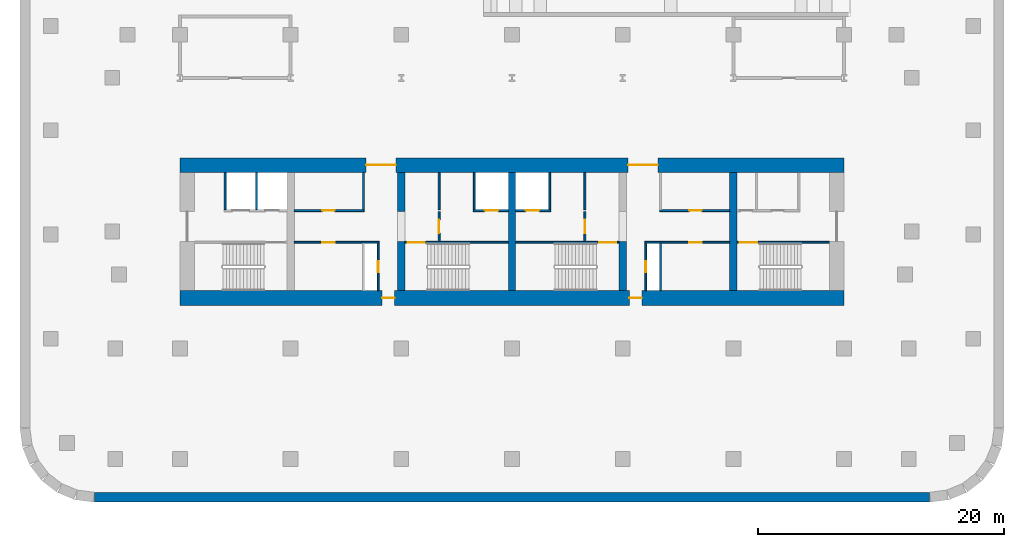
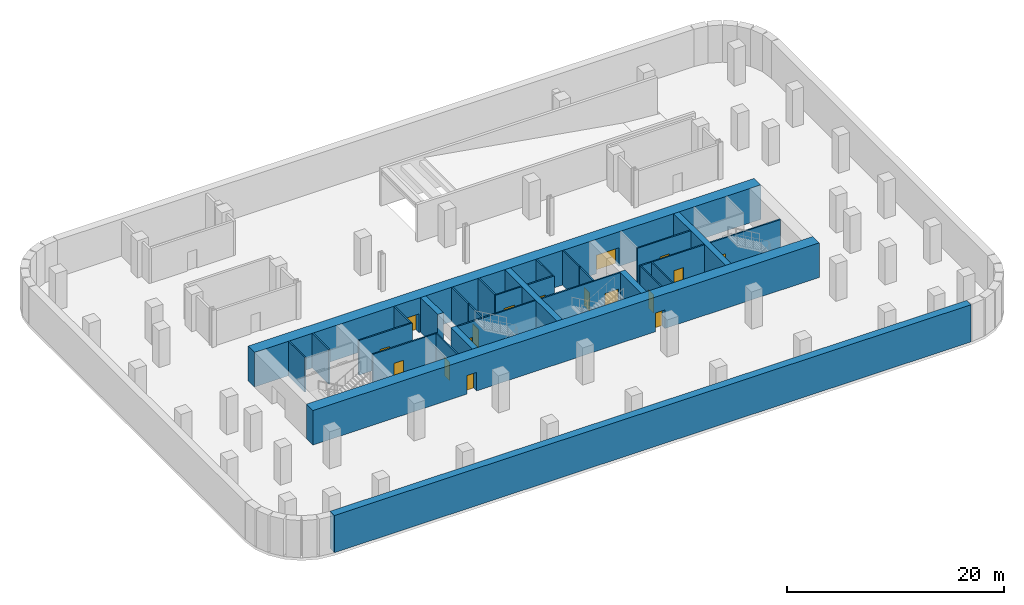
# One storey, part 2 of 5: 29 walls, 17 doors, 17 openings.
"""IFC4 building model written with IfcOpenShell, lengths in metres."""

from ifc_helpers import new_model, si_unit, direction, frame, frame_2d, origin, place, context, subcontext, project, spatial, rectangle, extrude, material, layer, layer_set, type_object, element, fill, save


model = new_model("IFC4")

# Units and contexts
model_context = context("Model", 3, precision=1e-05, world=origin(), true_north=direction((0.0, 1.0)))
body_context = subcontext(model_context, "Body", "Model", "MODEL_VIEW")
ifc_project = project(units=[si_unit("LENGTHUNIT", "METRE"), si_unit("AREAUNIT", "SQUARE_METRE"), si_unit("VOLUMEUNIT", "CUBIC_METRE"), si_unit("PLANEANGLEUNIT", "RADIAN"), si_unit("MASSUNIT", "GRAM", prefix="KILO")], contexts=[model_context])

# Site, building, storey
site_placement = place(None, origin())
site = spatial("IfcSite", under=ifc_project, at=site_placement, CompositionType="ELEMENT")
building_placement = place(site_placement, origin())
building = spatial("IfcBuilding", under=site, at=building_placement, Name="Zellij Exchange Tower", CompositionType="ELEMENT")
storey_placement = place(building_placement, frame((0.0, 0.0, -8.39990234375)))
storey = spatial("IfcBuildingStorey", under=building, at=storey_placement, Name="B2", CompositionType="ELEMENT", Elevation=-8.39990234375)

# Walls
ifc_material_1 = material(Name="Concrete C70/85", Category="concrete")
ifc_layer_1 = layer(ifc_material_1, 0.60009765625)
ifc_layer_set_1 = layer_set([ifc_layer_1], Name="Concrete C70/85")
wall_type_1 = type_object("IfcWallType", Name="CORE-CW 600 C70/85", PredefinedType="SHEAR", material=ifc_layer_set_1)
wall_1_placement = place(storey_placement, frame((-9.0, -12.800048828125, 0.0), z_axis=(0.0, 0.0, 1.0), x_axis=(0.0, 1.0, 0.0)))
element("IfcWall", 1, at=wall_1_placement, inside=storey, type_object=wall_type_1, Name="Core cross wall pier x -9 a B2", PredefinedType="SHEAR", context=body_context, shape_type="SweptSolid", body=[
    extrude(rectangle(XDim=4.0, YDim=0.60009765625, at=frame_2d((2.0, 0.0))), origin(), (0.0, 0.0, 1.0), 3.89990234375),
])
wall_2_placement = place(storey_placement, frame((-9.0, -6.375, 0.0), z_axis=(0.0, 0.0, 1.0), x_axis=(0.0, 1.0, 0.0)))
element("IfcWall", 2, at=wall_2_placement, inside=storey, type_object=wall_type_1, Name="Core cross wall pier x -9 b B2", PredefinedType="SHEAR", context=body_context, shape_type="SweptSolid", body=[
    extrude(rectangle(XDim=3.175048828125, YDim=0.60009765625, at=frame_2d((1.58740234375, 0.0))), origin(), (0.0, 0.0, 1.0), 3.89990234375),
])
wall_3_placement = place(storey_placement, frame((0.0, -12.800048828125, 0.0), z_axis=(0.0, 0.0, 1.0), x_axis=(0.0, 1.0, 0.0)))
element("IfcWall", 3, at=wall_3_placement, inside=storey, type_object=wall_type_1, Name="Core cross wall x 0 B2", PredefinedType="SHEAR", context=body_context, shape_type="SweptSolid", body=[
    extrude(rectangle(XDim=9.60009765625, YDim=0.60009765625, at=frame_2d((4.800048828125, 0.0))), origin(), (0.0, 0.0, 1.0), 3.89990234375),
])
wall_4_placement = place(storey_placement, frame((9.0, -12.800048828125, 0.0), z_axis=(0.0, 0.0, 1.0), x_axis=(0.0, 1.0, 0.0)))
element("IfcWall", 4, at=wall_4_placement, inside=storey, type_object=wall_type_1, Name="Core cross wall pier x 9 a B2", PredefinedType="SHEAR", context=body_context, shape_type="SweptSolid", body=[
    extrude(rectangle(XDim=4.0, YDim=0.60009765625, at=frame_2d((2.0, 0.0))), origin(), (0.0, 0.0, 1.0), 3.89990234375),
])
wall_5_placement = place(storey_placement, frame((18.0, -12.800048828125, 0.0), z_axis=(0.0, 0.0, 1.0), x_axis=(0.0, 1.0, 0.0)))
element("IfcWall", 5, at=wall_5_placement, inside=storey, type_object=wall_type_1, Name="Core cross wall x 18 B2", PredefinedType="SHEAR", context=body_context, shape_type="SweptSolid", body=[
    extrude(rectangle(XDim=9.60009765625, YDim=0.60009765625, at=frame_2d((4.800048828125, 0.0))), origin(), (0.0, 0.0, 1.0), 3.89990234375),
])

# Wall, opening, door
ifc_material_2 = material(Name="Gypsum shaft wall system")
ifc_layer_2 = layer(ifc_material_2, 0.14990234375)
ifc_layer_set_2 = layer_set([ifc_layer_2], Name="Gypsum shaft wall system")
wall_type_2 = type_object("IfcWallType", Name="CORE-PW 150 Firefighting lobby wall", PredefinedType="PARTITIONING", material=ifc_layer_set_2)
wall_6_placement = place(storey_placement, frame((-5.925048828125, -8.800048828125, 0.0), z_axis=(0.0, 0.0, 1.0), x_axis=(0.0, 1.0, 0.0)))
wall_6 = element("IfcWall", 6, at=wall_6_placement, inside=storey, type_object=wall_type_2, Name="Firefighting lobby wall B2", PredefinedType="PARTITIONING", context=body_context, shape_type="SweptSolid", body=[
    extrude(rectangle(XDim=2.425048828125, YDim=0.14990234375, at=frame_2d((1.21240234375, 0.0))), origin(), (0.0, 0.0, 1.0), 3.89990234375),
])
opening_1_placement = place(wall_6_placement, frame((0.662109375, 0.0, 0.0)))
opening_1 = element("IfcOpeningElement", 7, at=opening_1_placement, cuts=wall_6, Name="Opening CA-01.11", PredefinedType="OPENING", context=body_context, shape_type="SweptSolid", body=[
    extrude(rectangle(XDim=1.10009765625, YDim=2.10009765625, at=frame_2d((0.550048828125, 1.050048828125))), frame((0.0, 0.0869140625, 0.0), z_axis=(0.0, -1.0, 0.0), x_axis=(1.0, 0.0, 0.0)), (0.0, 0.0, 1.0), 0.173828125),
])
ifc_material_3 = material(Name="Hollow metal fire door")
door_type_1 = type_object("IfcDoorType", Name="CORE-D F Firefighting lobby door 1100x2100 1 HR", OperationType="NOTDEFINED", PredefinedType="DOOR", material=ifc_material_3)
door_1_placement = place(opening_1_placement, origin())
door_1 = element("IfcDoor", 8, at=door_1_placement, inside=storey, type_object=door_type_1, Name="Firefighting lobby door CA-01.11", OperationType="SINGLE_SWING_LEFT", OverallHeight=2.10009765625, OverallWidth=1.10009765625, PredefinedType="DOOR", context=body_context, shape_type="SweptSolid", body=[
    extrude(rectangle(XDim=1.10009765625, YDim=2.10009765625, at=frame_2d((0.550048828125, 1.050048828125))), frame((0.0, 0.02490234375, 0.0), z_axis=(0.0, -1.0, 0.0), x_axis=(1.0, 0.0, 0.0)), (0.0, 0.0, 1.0), 0.050048828125),
])
fill(opening_1, door_1)

wall_7_placement = place(storey_placement, frame((5.925048828125, -8.800048828125, 0.0), z_axis=(0.0, 0.0, 1.0), x_axis=(0.0, 1.0, 0.0)))
wall_7 = element("IfcWall", 9, at=wall_7_placement, inside=storey, type_object=wall_type_2, Name="Firefighting lobby wall B2", PredefinedType="PARTITIONING", context=body_context, shape_type="SweptSolid", body=[
    extrude(rectangle(XDim=2.425048828125, YDim=0.14990234375, at=frame_2d((1.21240234375, 0.0))), origin(), (0.0, 0.0, 1.0), 3.89990234375),
])
opening_2_placement = place(wall_7_placement, frame((0.662109375, 0.0, 0.0)))
opening_2 = element("IfcOpeningElement", 10, at=opening_2_placement, cuts=wall_7, Name="Opening CA-01.14", PredefinedType="OPENING", context=body_context, shape_type="SweptSolid", body=[
    extrude(rectangle(XDim=1.10009765625, YDim=2.10009765625, at=frame_2d((0.550048828125, 1.050048828125))), frame((0.0, 0.0869140625, 0.0), z_axis=(0.0, -1.0, 0.0), x_axis=(1.0, 0.0, 0.0)), (0.0, 0.0, 1.0), 0.173828125),
])
door_2_placement = place(opening_2_placement, origin())
door_2 = element("IfcDoor", 11, at=door_2_placement, inside=storey, type_object=door_type_1, Name="Firefighting lobby door CA-01.14", OperationType="SINGLE_SWING_RIGHT", OverallHeight=2.10009765625, OverallWidth=1.10009765625, PredefinedType="DOOR", context=body_context, shape_type="SweptSolid", body=[
    extrude(rectangle(XDim=1.10009765625, YDim=2.10009765625, at=frame_2d((0.550048828125, 1.050048828125))), frame((0.0, 0.02490234375, 0.0), z_axis=(0.0, -1.0, 0.0), x_axis=(1.0, 0.0, 0.0)), (0.0, 0.0, 1.0), 0.050048828125),
])
fill(opening_2, door_2)

# Walls
ifc_layer_3 = layer(ifc_material_2, 0.14990234375)
ifc_layer_set_3 = layer_set([ifc_layer_3], Name="Gypsum shaft wall system")
wall_type_3 = type_object("IfcWallType", Name="CORE-PW 150 Lift shaft wall", PredefinedType="PARTITIONING", material=ifc_layer_set_3)
for number, where, z_axis, x_axis, name in (
    (12, (-20.77490234375, -6.22509765625, 0.0), (0.0, 0.0, 1.0), (0.0, 1.0, 0.0), "Lift shaft wall B2"),
    (13, (-23.324951171875, -6.22509765625, 0.0), (0.0, 0.0, 1.0), (0.0, 1.0, 0.0), "Lift shaft wall B2"),
    (14, (-3.074951171875, -6.22509765625, 0.0), (0.0, 0.0, 1.0), (0.0, 1.0, 0.0), "Lift shaft wall B2"),
    (15, (3.074951171875, -6.22509765625, 0.0), (0.0, 0.0, 1.0), (0.0, 1.0, 0.0), "Lift shaft wall B2"),
):
    element("IfcWall", number, at=place(storey_placement, frame(where, z_axis=z_axis, x_axis=x_axis)), inside=storey, type_object=wall_type_3, Name=name, PredefinedType="PARTITIONING", context=body_context, shape_type="SweptSolid", body=[
        extrude(rectangle(XDim=3.025146484375, YDim=0.14990234375, at=frame_2d((1.5126953125, 0.0))), origin(), (0.0, 0.0, 1.0), 3.89990234375),
    ])

# Wall, opening, door
wall_8_placement = place(storey_placement, frame((-3.14990234375, -6.300048828125, 0.0), z_axis=(0.0, 0.0, 1.0), x_axis=(1.0, 0.0, 0.0)))
wall_8 = element("IfcWall", 16, at=wall_8_placement, inside=storey, type_object=wall_type_3, Name="Lift shaft wall B2", PredefinedType="PARTITIONING", context=body_context, shape_type="SweptSolid", body=[
    extrude(rectangle(XDim=2.849853515625, YDim=0.14990234375, at=frame_2d((1.4248046875, 0.0))), origin(), (0.0, 0.0, 1.0), 3.89990234375),
])
opening_3_placement = place(wall_8_placement, frame((0.949951171875, 0.0, 0.0)))
opening_3 = element("IfcOpeningElement", 17, at=opening_3_placement, cuts=wall_8, Name="Opening CA-01.12", PredefinedType="OPENING", context=body_context, shape_type="SweptSolid", body=[
    extrude(rectangle(XDim=1.10009765625, YDim=2.10009765625, at=frame_2d((0.550048828125, 1.050048828125))), frame((0.0, 0.0869140625, 0.0), z_axis=(0.0, -1.0, 0.0), x_axis=(1.0, 0.0, 0.0)), (0.0, 0.0, 1.0), 0.173828125),
])
door_type_2 = type_object("IfcDoorType", Name="CORE-D LD Lift landing door 1100x2100 1.5 HR", OperationType="NOTDEFINED", PredefinedType="DOOR", material=ifc_material_3)
door_3_placement = place(opening_3_placement, origin())
door_3 = element("IfcDoor", 18, at=door_3_placement, inside=storey, type_object=door_type_2, Name="Lift landing door CA-01.12", OperationType="SLIDING_TO_RIGHT", OverallHeight=2.10009765625, OverallWidth=1.10009765625, PredefinedType="DOOR", context=body_context, shape_type="SweptSolid", body=[
    extrude(rectangle(XDim=1.10009765625, YDim=2.10009765625, at=frame_2d((0.550048828125, 1.050048828125))), frame((0.0, 0.02490234375, 0.0), z_axis=(0.0, -1.0, 0.0), x_axis=(1.0, 0.0, 0.0)), (0.0, 0.0, 1.0), 0.050048828125),
])
fill(opening_3, door_3)

wall_9_placement = place(storey_placement, frame((0.300048828125, -6.300048828125, 0.0), z_axis=(0.0, 0.0, 1.0), x_axis=(1.0, 0.0, 0.0)))
wall_9 = element("IfcWall", 19, at=wall_9_placement, inside=storey, type_object=wall_type_3, Name="Lift shaft wall B2", PredefinedType="PARTITIONING", context=body_context, shape_type="SweptSolid", body=[
    extrude(rectangle(XDim=2.849853515625, YDim=0.14990234375, at=frame_2d((1.4248046875, 0.0))), origin(), (0.0, 0.0, 1.0), 3.89990234375),
])
opening_4_placement = place(wall_9_placement, frame((0.800048828125, 0.0, 0.0)))
opening_4 = element("IfcOpeningElement", 20, at=opening_4_placement, cuts=wall_9, Name="Opening CA-01.13", PredefinedType="OPENING", context=body_context, shape_type="SweptSolid", body=[
    extrude(rectangle(XDim=1.10009765625, YDim=2.10009765625, at=frame_2d((0.550048828125, 1.050048828125))), frame((0.0, 0.0869140625, 0.0), z_axis=(0.0, -1.0, 0.0), x_axis=(1.0, 0.0, 0.0)), (0.0, 0.0, 1.0), 0.173828125),
])
door_4_placement = place(opening_4_placement, origin())
door_4 = element("IfcDoor", 21, at=door_4_placement, inside=storey, type_object=door_type_2, Name="Lift landing door CA-01.13", OperationType="SLIDING_TO_LEFT", OverallHeight=2.10009765625, OverallWidth=1.10009765625, PredefinedType="DOOR", context=body_context, shape_type="SweptSolid", body=[
    extrude(rectangle(XDim=1.10009765625, YDim=2.10009765625, at=frame_2d((0.550048828125, 1.050048828125))), frame((0.0, 0.02490234375, 0.0), z_axis=(0.0, -1.0, 0.0), x_axis=(1.0, 0.0, 0.0)), (0.0, 0.0, 1.0), 0.050048828125),
])
fill(opening_4, door_4)

# Walls
ifc_layer_4 = layer(ifc_material_2, 0.14990234375)
ifc_layer_set_4 = layer_set([ifc_layer_4], Name="Gypsum shaft wall system")
wall_type_4 = type_object("IfcWallType", Name="CORE-PW 150 Plant room wall", PredefinedType="PARTITIONING", material=ifc_layer_set_4)
for number, where, z_axis, x_axis, name in (
    (22, (-12.074951171875, -6.22509765625, 0.0), (0.0, 0.0, 1.0), (0.0, 1.0, 0.0), "Plant room wall B2"),
    (23, (-5.925048828125, -6.22509765625, 0.0), (0.0, 0.0, 1.0), (0.0, 1.0, 0.0), "Plant room wall B2"),
    (24, (5.925048828125, -6.22509765625, 0.0), (0.0, 0.0, 1.0), (0.0, 1.0, 0.0), "Plant room wall B2"),
):
    element("IfcWall", number, at=place(storey_placement, frame(where, z_axis=z_axis, x_axis=x_axis)), inside=storey, type_object=wall_type_4, Name=name, PredefinedType="PARTITIONING", context=body_context, shape_type="SweptSolid", body=[
        extrude(rectangle(XDim=3.025146484375, YDim=0.14990234375, at=frame_2d((1.5126953125, 0.0))), origin(), (0.0, 0.0, 1.0), 3.89990234375),
    ])

# Wall, opening, door
wall_10_placement = place(storey_placement, frame((-10.875, -12.800048828125, 0.0), z_axis=(0.0, 0.0, 1.0), x_axis=(0.0, 1.0, 0.0)))
wall_10 = element("IfcWall", 25, at=wall_10_placement, inside=storey, type_object=wall_type_4, Name="Plant room wall B2", PredefinedType="PARTITIONING", context=body_context, shape_type="SweptSolid", body=[
    extrude(rectangle(XDim=3.85009765625, YDim=0.14990234375, at=frame_2d((1.925048828125, 0.0))), origin(), (0.0, 0.0, 1.0), 3.89990234375),
])
opening_5_placement = place(wall_10_placement, frame((1.47509765625, 0.0, 0.0)))
opening_5 = element("IfcOpeningElement", 26, at=opening_5_placement, cuts=wall_10, Name="Opening CA-01.07", PredefinedType="OPENING", context=body_context, shape_type="SweptSolid", body=[
    extrude(rectangle(XDim=0.89990234375, YDim=2.10009765625, at=frame_2d((0.449951171875, 1.050048828125))), frame((0.0, 0.0869140625, 0.0), z_axis=(0.0, -1.0, 0.0), x_axis=(1.0, 0.0, 0.0)), (0.0, 0.0, 1.0), 0.173828125),
])
door_type_3 = type_object("IfcDoorType", Name="CORE-D RD Riser door 900x2100 1.5 HR", OperationType="NOTDEFINED", PredefinedType="DOOR", material=ifc_material_3)
door_5_placement = place(opening_5_placement, origin())
door_5 = element("IfcDoor", 27, at=door_5_placement, inside=storey, type_object=door_type_3, Name="Riser door CA-01.07", OperationType="SINGLE_SWING_RIGHT", OverallHeight=2.10009765625, OverallWidth=0.89990234375, PredefinedType="DOOR", context=body_context, shape_type="SweptSolid", body=[
    extrude(rectangle(XDim=0.89990234375, YDim=2.10009765625, at=frame_2d((0.449951171875, 1.050048828125))), frame((0.0, 0.02490234375, 0.0), z_axis=(0.0, -1.0, 0.0), x_axis=(1.0, 0.0, 0.0)), (0.0, 0.0, 1.0), 0.050048828125),
])
fill(opening_5, door_5)

wall_11_placement = place(storey_placement, frame((10.875, -12.800048828125, 0.0), z_axis=(0.0, 0.0, 1.0), x_axis=(0.0, 1.0, 0.0)))
wall_11 = element("IfcWall", 28, at=wall_11_placement, inside=storey, type_object=wall_type_4, Name="Plant room wall B2", PredefinedType="PARTITIONING", context=body_context, shape_type="SweptSolid", body=[
    extrude(rectangle(XDim=3.85009765625, YDim=0.14990234375, at=frame_2d((1.925048828125, 0.0))), origin(), (0.0, 0.0, 1.0), 3.89990234375),
])
opening_6_placement = place(wall_11_placement, frame((1.47509765625, 0.0, 0.0)))
opening_6 = element("IfcOpeningElement", 29, at=opening_6_placement, cuts=wall_11, Name="Opening CA-01.18", PredefinedType="OPENING", context=body_context, shape_type="SweptSolid", body=[
    extrude(rectangle(XDim=0.89990234375, YDim=2.10009765625, at=frame_2d((0.449951171875, 1.050048828125))), frame((0.0, 0.0869140625, 0.0), z_axis=(0.0, -1.0, 0.0), x_axis=(1.0, 0.0, 0.0)), (0.0, 0.0, 1.0), 0.173828125),
])
door_6_placement = place(opening_6_placement, origin())
door_6 = element("IfcDoor", 30, at=door_6_placement, inside=storey, type_object=door_type_3, Name="Riser door CA-01.18", OperationType="SINGLE_SWING_LEFT", OverallHeight=2.10009765625, OverallWidth=0.89990234375, PredefinedType="DOOR", context=body_context, shape_type="SweptSolid", body=[
    extrude(rectangle(XDim=0.89990234375, YDim=2.10009765625, at=frame_2d((0.449951171875, 1.050048828125))), frame((0.0, 0.02490234375, 0.0), z_axis=(0.0, -1.0, 0.0), x_axis=(1.0, 0.0, 0.0)), (0.0, 0.0, 1.0), 0.050048828125),
])
fill(opening_6, door_6)

# Wall
wall_12_placement = place(storey_placement, frame((12.074951171875, -12.800048828125, 0.0), z_axis=(0.0, 0.0, 1.0), x_axis=(0.0, 1.0, 0.0)))
element("IfcWall", 31, at=wall_12_placement, inside=storey, type_object=wall_type_4, Name="Plant room wall B2", PredefinedType="PARTITIONING", context=body_context, shape_type="SweptSolid", body=[
    extrude(rectangle(XDim=3.85009765625, YDim=0.14990234375, at=frame_2d((1.925048828125, 0.0))), origin(), (0.0, 0.0, 1.0), 3.89990234375),
])

# Wall, opening, door
wall_13_placement = place(storey_placement, frame((-17.699951171875, -6.300048828125, 0.0), z_axis=(0.0, 0.0, 1.0), x_axis=(1.0, 0.0, 0.0)))
wall_13 = element("IfcWall", 32, at=wall_13_placement, inside=storey, type_object=wall_type_4, Name="Plant room wall B2", PredefinedType="PARTITIONING", context=body_context, shape_type="SweptSolid", body=[
    extrude(rectangle(XDim=5.699951171875, YDim=0.14990234375, at=frame_2d((2.85009765625, 0.0))), origin(), (0.0, 0.0, 1.0), 3.89990234375),
])
opening_7_placement = place(wall_13_placement, frame((2.27490234375, 0.0, 0.0)))
opening_7 = element("IfcOpeningElement", 33, at=opening_7_placement, cuts=wall_13, Name="Opening CA-01.06", PredefinedType="OPENING", context=body_context, shape_type="SweptSolid", body=[
    extrude(rectangle(XDim=1.0, YDim=2.10009765625, at=frame_2d((0.5, 1.050048828125))), frame((0.0, 0.0869140625, 0.0), z_axis=(0.0, -1.0, 0.0), x_axis=(1.0, 0.0, 0.0)), (0.0, 0.0, 1.0), 0.173828125),
])
door_type_4 = type_object("IfcDoorType", Name="CORE-D CDA Core room door 1000x2100 1.5 HR", OperationType="NOTDEFINED", PredefinedType="DOOR", material=ifc_material_3)
door_7_placement = place(opening_7_placement, origin())
door_7 = element("IfcDoor", 34, at=door_7_placement, inside=storey, type_object=door_type_4, Name="Core room door CA-01.06", OperationType="SINGLE_SWING_LEFT", OverallHeight=2.10009765625, OverallWidth=1.0, PredefinedType="DOOR", context=body_context, shape_type="SweptSolid", body=[
    extrude(rectangle(XDim=1.0, YDim=2.10009765625, at=frame_2d((0.5, 1.050048828125))), frame((0.0, 0.02490234375, 0.0), z_axis=(0.0, -1.0, 0.0), x_axis=(1.0, 0.0, 0.0)), (0.0, 0.0, 1.0), 0.050048828125),
])
fill(opening_7, door_7)

wall_14_placement = place(storey_placement, frame((12.0, -6.300048828125, 0.0), z_axis=(0.0, 0.0, 1.0), x_axis=(1.0, 0.0, 0.0)))
wall_14 = element("IfcWall", 35, at=wall_14_placement, inside=storey, type_object=wall_type_4, Name="Plant room wall B2", PredefinedType="PARTITIONING", context=body_context, shape_type="SweptSolid", body=[
    extrude(rectangle(XDim=5.699951171875, YDim=0.14990234375, at=frame_2d((2.85009765625, 0.0))), origin(), (0.0, 0.0, 1.0), 3.89990234375),
])
opening_8_placement = place(wall_14_placement, frame((2.425048828125, 0.0, 0.0)))
opening_8 = element("IfcOpeningElement", 36, at=opening_8_placement, cuts=wall_14, Name="Opening CA-01.20", PredefinedType="OPENING", context=body_context, shape_type="SweptSolid", body=[
    extrude(rectangle(XDim=1.0, YDim=2.10009765625, at=frame_2d((0.5, 1.050048828125))), frame((0.0, 0.0869140625, 0.0), z_axis=(0.0, -1.0, 0.0), x_axis=(1.0, 0.0, 0.0)), (0.0, 0.0, 1.0), 0.173828125),
])
door_8_placement = place(opening_8_placement, origin())
door_8 = element("IfcDoor", 37, at=door_8_placement, inside=storey, type_object=door_type_4, Name="Core room door CA-01.20", OperationType="SINGLE_SWING_RIGHT", OverallHeight=2.10009765625, OverallWidth=1.0, PredefinedType="DOOR", context=body_context, shape_type="SweptSolid", body=[
    extrude(rectangle(XDim=1.0, YDim=2.10009765625, at=frame_2d((0.5, 1.050048828125))), frame((0.0, 0.02490234375, 0.0), z_axis=(0.0, -1.0, 0.0), x_axis=(1.0, 0.0, 0.0)), (0.0, 0.0, 1.0), 0.050048828125),
])
fill(opening_8, door_8)

wall_15_placement = place(storey_placement, frame((-17.699951171875, -8.875, 0.0), z_axis=(0.0, 0.0, 1.0), x_axis=(1.0, 0.0, 0.0)))
wall_15 = element("IfcWall", 38, at=wall_15_placement, inside=storey, type_object=wall_type_4, Name="Plant room wall B2", PredefinedType="PARTITIONING", context=body_context, shape_type="SweptSolid", body=[
    extrude(rectangle(XDim=6.89990234375, YDim=0.14990234375, at=frame_2d((3.449951171875, 0.0))), origin(), (0.0, 0.0, 1.0), 3.89990234375),
])
opening_9_placement = place(wall_15_placement, frame((2.27490234375, 0.0, 0.0)))
opening_9 = element("IfcOpeningElement", 39, at=opening_9_placement, cuts=wall_15, Name="Opening CA-01.05", PredefinedType="OPENING", context=body_context, shape_type="SweptSolid", body=[
    extrude(rectangle(XDim=1.0, YDim=2.10009765625, at=frame_2d((0.5, 1.050048828125))), frame((0.0, 0.0869140625, 0.0), z_axis=(0.0, -1.0, 0.0), x_axis=(1.0, 0.0, 0.0)), (0.0, 0.0, 1.0), 0.173828125),
])
door_9_placement = place(opening_9_placement, origin())
door_9 = element("IfcDoor", 40, at=door_9_placement, inside=storey, type_object=door_type_4, Name="Core room door CA-01.05", OperationType="SINGLE_SWING_RIGHT", OverallHeight=2.10009765625, OverallWidth=1.0, PredefinedType="DOOR", context=body_context, shape_type="SweptSolid", body=[
    extrude(rectangle(XDim=1.0, YDim=2.10009765625, at=frame_2d((0.5, 1.050048828125))), frame((0.0, 0.02490234375, 0.0), z_axis=(0.0, -1.0, 0.0), x_axis=(1.0, 0.0, 0.0)), (0.0, 0.0, 1.0), 0.050048828125),
])
fill(opening_9, door_9)

wall_16_placement = place(storey_placement, frame((10.800048828125, -8.875, 0.0), z_axis=(0.0, 0.0, 1.0), x_axis=(1.0, 0.0, 0.0)))
wall_16 = element("IfcWall", 41, at=wall_16_placement, inside=storey, type_object=wall_type_4, Name="Plant room wall B2", PredefinedType="PARTITIONING", context=body_context, shape_type="SweptSolid", body=[
    extrude(rectangle(XDim=6.89990234375, YDim=0.14990234375, at=frame_2d((3.449951171875, 0.0))), origin(), (0.0, 0.0, 1.0), 3.89990234375),
])
opening_10_placement = place(wall_16_placement, frame((3.625, 0.0, 0.0)))
opening_10 = element("IfcOpeningElement", 42, at=opening_10_placement, cuts=wall_16, Name="Opening CA-01.19", PredefinedType="OPENING", context=body_context, shape_type="SweptSolid", body=[
    extrude(rectangle(XDim=1.0, YDim=2.10009765625, at=frame_2d((0.5, 1.050048828125))), frame((0.0, 0.0869140625, 0.0), z_axis=(0.0, -1.0, 0.0), x_axis=(1.0, 0.0, 0.0)), (0.0, 0.0, 1.0), 0.173828125),
])
door_10_placement = place(opening_10_placement, origin())
door_10 = element("IfcDoor", 43, at=door_10_placement, inside=storey, type_object=door_type_4, Name="Core room door CA-01.19", OperationType="SINGLE_SWING_LEFT", OverallHeight=2.10009765625, OverallWidth=1.0, PredefinedType="DOOR", context=body_context, shape_type="SweptSolid", body=[
    extrude(rectangle(XDim=1.0, YDim=2.10009765625, at=frame_2d((0.5, 1.050048828125))), frame((0.0, 0.02490234375, 0.0), z_axis=(0.0, -1.0, 0.0), x_axis=(1.0, 0.0, 0.0)), (0.0, 0.0, 1.0), 0.050048828125),
])
fill(opening_10, door_10)

# Wall, openings, doors
ifc_layer_5 = layer(ifc_material_1, 1.199951171875)
ifc_layer_set_5 = layer_set([ifc_layer_5], Name="Concrete C70/85")
wall_type_5 = type_object("IfcWallType", Name="CORE-SW 1200 C70/85", PredefinedType="SHEAR", material=ifc_layer_set_5)
wall_17_placement = place(storey_placement, frame((-27.0, -2.60009765625, 0.0), z_axis=(0.0, 0.0, 1.0), x_axis=(1.0, 0.0, 0.0)))
wall_17 = element("IfcWall", 44, at=wall_17_placement, inside=storey, type_object=wall_type_5, Name="Core shear wall front B2", PredefinedType="SHEAR", context=body_context, shape_type="SweptSolid", body=[
    extrude(rectangle(XDim=54.0, YDim=1.199951171875, at=frame_2d((27.0, 0.0))), origin(), (0.0, 0.0, 1.0), 3.89990234375),
])
opening_11_placement = place(wall_17_placement, frame((15.14990234375, 0.0, 0.0)))
opening_11 = element("IfcOpeningElement", 45, at=opening_11_placement, cuts=wall_17, Name="Opening CA-01.08", PredefinedType="OPENING", context=body_context, shape_type="SweptSolid", body=[
    extrude(rectangle(XDim=2.39990234375, YDim=2.10009765625, at=frame_2d((1.199951171875, 1.050048828125))), frame((0.0, 0.61181640625, 0.0), z_axis=(0.0, -1.0, 0.0), x_axis=(1.0, 0.0, 0.0)), (0.0, 0.0, 1.0), 1.223876953125),
])
opening_12_placement = place(wall_17_placement, frame((36.449951171875, 0.0, 0.0)))
opening_12 = element("IfcOpeningElement", 46, at=opening_12_placement, cuts=wall_17, Name="Opening CA-01.17", PredefinedType="OPENING", context=body_context, shape_type="SweptSolid", body=[
    extrude(rectangle(XDim=2.39990234375, YDim=2.10009765625, at=frame_2d((1.199951171875, 1.050048828125))), frame((0.0, 0.61181640625, 0.0), z_axis=(0.0, -1.0, 0.0), x_axis=(1.0, 0.0, 0.0)), (0.0, 0.0, 1.0), 1.223876953125),
])
door_type_5 = type_object("IfcDoorType", Name="CORE-D CE Core entrance door 2400x2100 20 MIN", OperationType="NOTDEFINED", PredefinedType="DOOR", material=ifc_material_3)
door_11_placement = place(opening_11_placement, origin())
door_11 = element("IfcDoor", 47, at=door_11_placement, inside=storey, type_object=door_type_5, Name="Core entrance door CA-01.08", OperationType="DOUBLE_DOOR_SINGLE_SWING", OverallHeight=2.10009765625, OverallWidth=2.39990234375, PredefinedType="DOOR", context=body_context, shape_type="SweptSolid", body=[
    extrude(rectangle(XDim=2.39990234375, YDim=2.10009765625, at=frame_2d((1.199951171875, 1.050048828125))), frame((0.0, 0.02490234375, 0.0), z_axis=(0.0, -1.0, 0.0), x_axis=(1.0, 0.0, 0.0)), (0.0, 0.0, 1.0), 0.050048828125),
])
fill(opening_11, door_11)
door_12_placement = place(opening_12_placement, origin())
door_12 = element("IfcDoor", 48, at=door_12_placement, inside=storey, type_object=door_type_5, Name="Core entrance door CA-01.17", OperationType="DOUBLE_DOOR_SINGLE_SWING", OverallHeight=2.10009765625, OverallWidth=2.39990234375, PredefinedType="DOOR", context=body_context, shape_type="SweptSolid", body=[
    extrude(rectangle(XDim=2.39990234375, YDim=2.10009765625, at=frame_2d((1.199951171875, 1.050048828125))), frame((0.0, 0.02490234375, 0.0), z_axis=(0.0, -1.0, 0.0), x_axis=(1.0, 0.0, 0.0)), (0.0, 0.0, 1.0), 0.050048828125),
])
fill(opening_12, door_12)

wall_18_placement = place(storey_placement, frame((-27.0, -13.39990234375, 0.0), z_axis=(0.0, 0.0, 1.0), x_axis=(1.0, 0.0, 0.0)))
wall_18 = element("IfcWall", 49, at=wall_18_placement, inside=storey, type_object=wall_type_5, Name="Core shear wall rear B2", PredefinedType="SHEAR", context=body_context, shape_type="SweptSolid", body=[
    extrude(rectangle(XDim=54.0, YDim=1.199951171875, at=frame_2d((27.0, 0.0))), origin(), (0.0, 0.0, 1.0), 3.89990234375),
])
opening_13_placement = place(wall_18_placement, frame((16.449951171875, 0.0, 0.0)))
opening_13 = element("IfcOpeningElement", 50, at=opening_13_placement, cuts=wall_18, Name="Opening CA-01.09", PredefinedType="OPENING", context=body_context, shape_type="SweptSolid", body=[
    extrude(rectangle(XDim=1.0, YDim=2.10009765625, at=frame_2d((0.5, 1.050048828125))), frame((0.0, 0.61181640625, 0.0), z_axis=(0.0, -1.0, 0.0), x_axis=(1.0, 0.0, 0.0)), (0.0, 0.0, 1.0), 1.223876953125),
])
opening_14_placement = place(wall_18_placement, frame((36.550048828125, 0.0, 0.0)))
opening_14 = element("IfcOpeningElement", 51, at=opening_14_placement, cuts=wall_18, Name="Opening CA-01.16", PredefinedType="OPENING", context=body_context, shape_type="SweptSolid", body=[
    extrude(rectangle(XDim=1.0, YDim=2.10009765625, at=frame_2d((0.5, 1.050048828125))), frame((0.0, 0.61181640625, 0.0), z_axis=(0.0, -1.0, 0.0), x_axis=(1.0, 0.0, 0.0)), (0.0, 0.0, 1.0), 1.223876953125),
])
door_type_6 = type_object("IfcDoorType", Name="CORE-D CR Core rear door 1000x2100 20 MIN", OperationType="NOTDEFINED", PredefinedType="DOOR", material=ifc_material_3)
door_13_placement = place(opening_13_placement, origin())
door_13 = element("IfcDoor", 52, at=door_13_placement, inside=storey, type_object=door_type_6, Name="Core rear door CA-01.09", OperationType="SINGLE_SWING_RIGHT", OverallHeight=2.10009765625, OverallWidth=1.0, PredefinedType="DOOR", context=body_context, shape_type="SweptSolid", body=[
    extrude(rectangle(XDim=1.0, YDim=2.10009765625, at=frame_2d((0.5, 1.050048828125))), frame((0.0, 0.02490234375, 0.0), z_axis=(0.0, -1.0, 0.0), x_axis=(1.0, 0.0, 0.0)), (0.0, 0.0, 1.0), 0.050048828125),
])
fill(opening_13, door_13)
door_14_placement = place(opening_14_placement, origin())
door_14 = element("IfcDoor", 53, at=door_14_placement, inside=storey, type_object=door_type_6, Name="Core rear door CA-01.16", OperationType="SINGLE_SWING_LEFT", OverallHeight=2.10009765625, OverallWidth=1.0, PredefinedType="DOOR", context=body_context, shape_type="SweptSolid", body=[
    extrude(rectangle(XDim=1.0, YDim=2.10009765625, at=frame_2d((0.5, 1.050048828125))), frame((0.0, 0.02490234375, 0.0), z_axis=(0.0, -1.0, 0.0), x_axis=(1.0, 0.0, 0.0)), (0.0, 0.0, 1.0), 0.050048828125),
])
fill(opening_14, door_14)

# Wall, opening, door
ifc_layer_6 = layer(ifc_material_1, 0.14990234375)
ifc_layer_set_6 = layer_set([ifc_layer_6], Name="Concrete C70/85")
wall_type_6 = type_object("IfcWallType", Name="CORE-SWS 150 C70/85", PredefinedType="SHEAR", material=ifc_layer_set_6)
wall_19_placement = place(storey_placement, frame((-8.699951171875, -8.875, 0.0), z_axis=(0.0, 0.0, 1.0), x_axis=(1.0, 0.0, 0.0)))
wall_19 = element("IfcWall", 54, at=wall_19_placement, inside=storey, type_object=wall_type_6, Name="Stair enclosure wall B2", PredefinedType="SHEAR", context=body_context, shape_type="SweptSolid", body=[
    extrude(rectangle(XDim=8.39990234375, YDim=0.14990234375, at=frame_2d((4.199951171875, 0.0))), origin(), (0.0, 0.0, 1.0), 3.89990234375),
])
opening_15_placement = place(wall_19_placement, frame((0.22509765625, 0.0, 0.0)))
opening_15 = element("IfcOpeningElement", 55, at=opening_15_placement, cuts=wall_19, Name="Opening CA-01.10", PredefinedType="OPENING", context=body_context, shape_type="SweptSolid", body=[
    extrude(rectangle(XDim=1.39990234375, YDim=2.10009765625, at=frame_2d((0.699951171875, 1.050048828125))), frame((0.0, 0.0869140625, 0.0), z_axis=(0.0, -1.0, 0.0), x_axis=(1.0, 0.0, 0.0)), (0.0, 0.0, 1.0), 0.173828125),
])
door_type_7 = type_object("IfcDoorType", Name="CORE-D SD Stair door 1400x2100 1.5 HR", OperationType="NOTDEFINED", PredefinedType="DOOR", material=ifc_material_3)
door_15_placement = place(opening_15_placement, origin())
door_15 = element("IfcDoor", 56, at=door_15_placement, inside=storey, type_object=door_type_7, Name="Stair door CA-01.10", OperationType="DOUBLE_DOOR_SINGLE_SWING", OverallHeight=2.10009765625, OverallWidth=1.39990234375, PredefinedType="DOOR", context=body_context, shape_type="SweptSolid", body=[
    extrude(rectangle(XDim=1.39990234375, YDim=2.10009765625, at=frame_2d((0.699951171875, 1.050048828125))), frame((0.0, 0.02490234375, 0.0), z_axis=(0.0, -1.0, 0.0), x_axis=(1.0, 0.0, 0.0)), (0.0, 0.0, 1.0), 0.050048828125),
])
fill(opening_15, door_15)

wall_20_placement = place(storey_placement, frame((0.300048828125, -8.875, 0.0), z_axis=(0.0, 0.0, 1.0), x_axis=(1.0, 0.0, 0.0)))
wall_20 = element("IfcWall", 57, at=wall_20_placement, inside=storey, type_object=wall_type_6, Name="Stair enclosure wall B2", PredefinedType="SHEAR", context=body_context, shape_type="SweptSolid", body=[
    extrude(rectangle(XDim=8.39990234375, YDim=0.14990234375, at=frame_2d((4.199951171875, 0.0))), origin(), (0.0, 0.0, 1.0), 3.89990234375),
])
opening_16_placement = place(wall_20_placement, frame((6.77490234375, 0.0, 0.0)))
opening_16 = element("IfcOpeningElement", 58, at=opening_16_placement, cuts=wall_20, Name="Opening CA-01.15", PredefinedType="OPENING", context=body_context, shape_type="SweptSolid", body=[
    extrude(rectangle(XDim=1.39990234375, YDim=2.10009765625, at=frame_2d((0.699951171875, 1.050048828125))), frame((0.0, 0.0869140625, 0.0), z_axis=(0.0, -1.0, 0.0), x_axis=(1.0, 0.0, 0.0)), (0.0, 0.0, 1.0), 0.173828125),
])
door_16_placement = place(opening_16_placement, origin())
door_16 = element("IfcDoor", 59, at=door_16_placement, inside=storey, type_object=door_type_7, Name="Stair door CA-01.15", OperationType="DOUBLE_DOOR_SINGLE_SWING", OverallHeight=2.10009765625, OverallWidth=1.39990234375, PredefinedType="DOOR", context=body_context, shape_type="SweptSolid", body=[
    extrude(rectangle(XDim=1.39990234375, YDim=2.10009765625, at=frame_2d((0.699951171875, 1.050048828125))), frame((0.0, 0.02490234375, 0.0), z_axis=(0.0, -1.0, 0.0), x_axis=(1.0, 0.0, 0.0)), (0.0, 0.0, 1.0), 0.050048828125),
])
fill(opening_16, door_16)

wall_21_placement = place(storey_placement, frame((18.300048828125, -8.875, 0.0), z_axis=(0.0, 0.0, 1.0), x_axis=(1.0, 0.0, 0.0)))
wall_21 = element("IfcWall", 60, at=wall_21_placement, inside=storey, type_object=wall_type_6, Name="Stair enclosure wall B2", PredefinedType="SHEAR", context=body_context, shape_type="SweptSolid", body=[
    extrude(rectangle(XDim=7.5, YDim=0.14990234375, at=frame_2d((3.75, 0.0))), origin(), (0.0, 0.0, 1.0), 3.89990234375),
])
opening_17_placement = place(wall_21_placement, frame((0.22509765625, 0.0, 0.0)))
opening_17 = element("IfcOpeningElement", 61, at=opening_17_placement, cuts=wall_21, Name="Opening CA-01.22", PredefinedType="OPENING", context=body_context, shape_type="SweptSolid", body=[
    extrude(rectangle(XDim=1.39990234375, YDim=2.10009765625, at=frame_2d((0.699951171875, 1.050048828125))), frame((0.0, 0.0869140625, 0.0), z_axis=(0.0, -1.0, 0.0), x_axis=(1.0, 0.0, 0.0)), (0.0, 0.0, 1.0), 0.173828125),
])
door_17_placement = place(opening_17_placement, origin())
door_17 = element("IfcDoor", 62, at=door_17_placement, inside=storey, type_object=door_type_7, Name="Stair door CA-01.22", OperationType="DOUBLE_DOOR_SINGLE_SWING", OverallHeight=2.10009765625, OverallWidth=1.39990234375, PredefinedType="DOOR", context=body_context, shape_type="SweptSolid", body=[
    extrude(rectangle(XDim=1.39990234375, YDim=2.10009765625, at=frame_2d((0.699951171875, 1.050048828125))), frame((0.0, 0.02490234375, 0.0), z_axis=(0.0, -1.0, 0.0), x_axis=(1.0, 0.0, 0.0)), (0.0, 0.0, 1.0), 0.050048828125),
])
fill(opening_17, door_17)

# Wall
ifc_material_4 = material(Name="Concrete C40/50", Category="concrete")
ifc_layer_7 = layer(ifc_material_4, 0.800048828125)
ifc_layer_set_7 = layer_set([ifc_layer_7], Name="Concrete C40/50")
wall_type_7 = type_object("IfcWallType", Name="STR-RETAINING WALL 800 C40/50", PredefinedType="SOLIDWALL", material=ifc_layer_set_7)
wall_22_placement = place(storey_placement, frame((33.947509765625, -29.60009765625, 0.0), z_axis=(0.0, 0.0, 1.0), x_axis=(-1.0, 0.0, 0.0)))
element("IfcWall", 63, at=wall_22_placement, inside=storey, type_object=wall_type_7, Name="Retaining wall B2", PredefinedType="SOLIDWALL", context=body_context, shape_type="SweptSolid", body=[
    extrude(rectangle(XDim=67.89501953125, YDim=0.800048828125, at=frame_2d((33.947509765625, 0.0))), origin(), (0.0, 0.0, 1.0), 4.199951171875),
])

save(model, "model.ifc")
